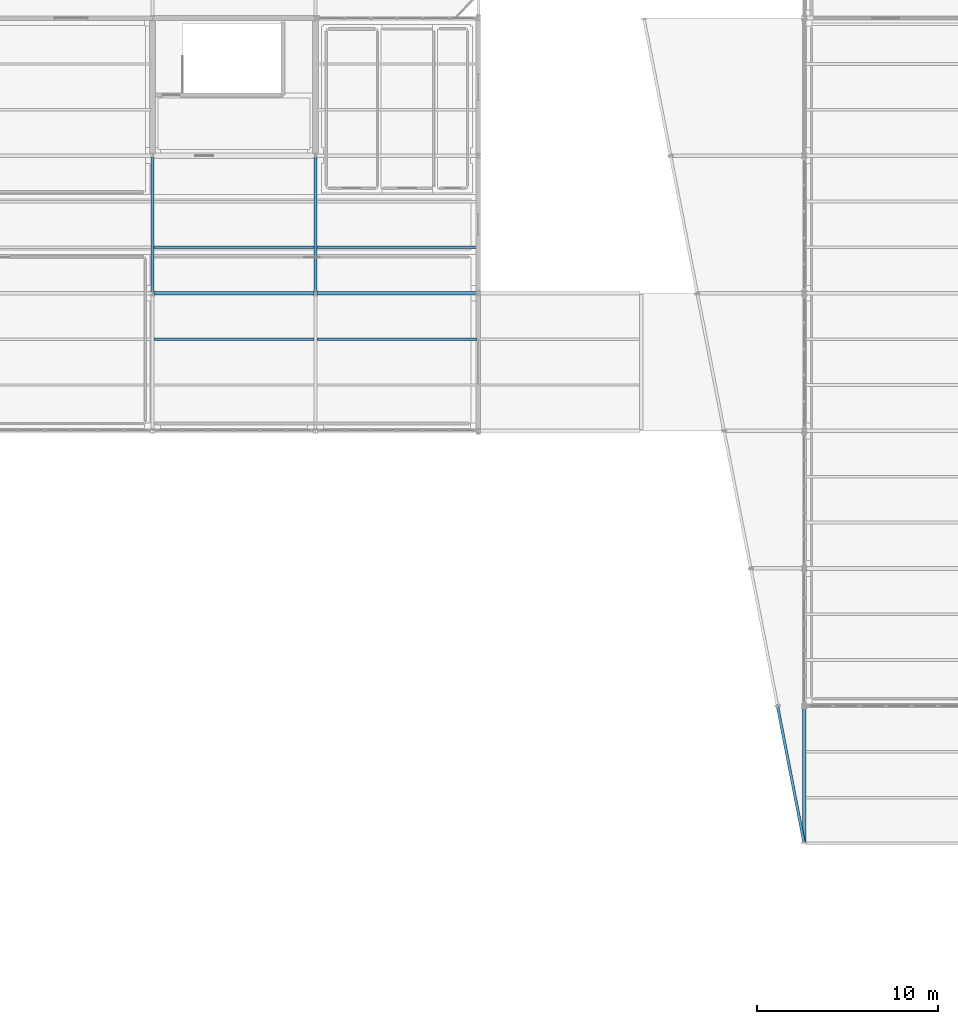
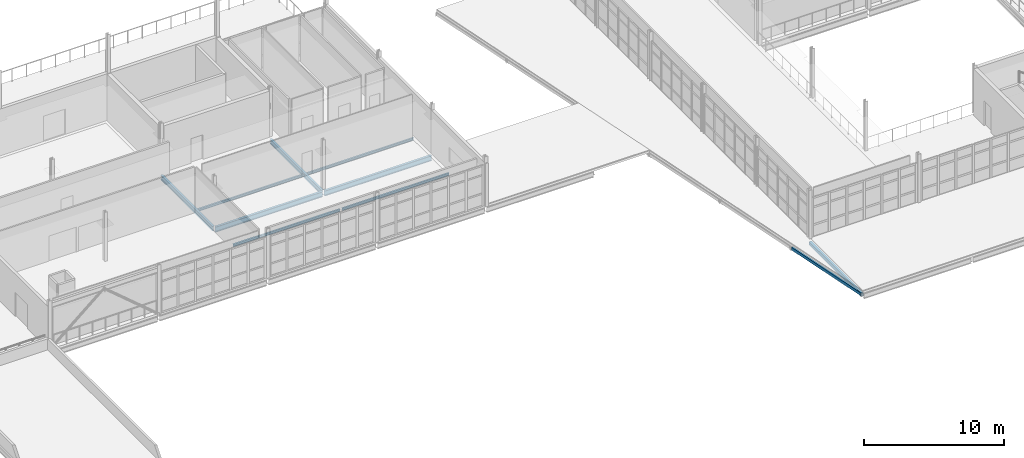
# One storey, part 37 of 96: 10 beams.
"""IFC4 building model written with IfcOpenShell, lengths in metres."""

from ifc_helpers import new_model, si_unit, direction, frame, origin, origin_2d, place, context, subcontext, project, spatial, hollow_rectangle, i_section, extrude, material, material_profile, profile_set, type_object, element, save


model = new_model("IFC4")

# Units and contexts
model_context = context("Model", 3, precision=1e-05, world=origin(), true_north=direction((0.0, 1.0)))
body_context = subcontext(model_context, "Body", "Model", "MODEL_VIEW")
ifc_project = project(units=[si_unit("LENGTHUNIT", "METRE"), si_unit("AREAUNIT", "SQUARE_METRE"), si_unit("VOLUMEUNIT", "CUBIC_METRE"), si_unit("PLANEANGLEUNIT", "RADIAN"), si_unit("MASSUNIT", "GRAM", prefix="KILO")], contexts=[model_context])

# Site, building, storey
site_placement = place(None, origin())
site = spatial("IfcSite", under=ifc_project, at=site_placement, CompositionType="ELEMENT")
building_placement = place(site_placement, origin())
building = spatial("IfcBuilding", under=site, at=building_placement, Name="Caisbarro Railhouse Central Library", CompositionType="ELEMENT")
storey_placement = place(building_placement, frame((0.0, 0.0, 13.679931640625)))
storey = spatial("IfcBuildingStorey", under=building, at=storey_placement, Name="L03", CompositionType="ELEMENT", Elevation=13.679931640625)

# Beams
ifc_material = material(Name="Steel ASTM A572 Grade 50", Category="steel")
ifc_material_profile_1 = material_profile(ifc_material, i_section(OverallWidth=0.18994140625, OverallDepth=0.45703125, WebThickness=0.009033203125, FlangeThickness=0.014404296875, FilletRadius=0.01806640625, at=origin_2d()), Name="W460X74.0")
ifc_profile_set_1 = profile_set([ifc_material_profile_1], Name="Steel ASTM A572 Grade 50")
beam_type_1 = type_object("IfcBeamType", Name="BM-G08", PredefinedType="BEAM", material=ifc_profile_set_1)
for number, where, z_axis, x_axis, name in (
    (1, (81.080078125, 91.199951171875, -0.428466796875), (1.0, 0.0, 0.0), (0.0, 1.0, 0.0), "G08 beam L03 #1972"),
    (2, (90.080078125, 91.199951171875, -0.428466796875), (1.0, 0.0, 0.0), (0.0, 1.0, 0.0), "G08 beam L03 #1973"),
):
    element("IfcBeam", number, at=place(storey_placement, frame(where, z_axis=z_axis, x_axis=x_axis)), inside=storey, type_object=beam_type_1, Name=name, PredefinedType="BEAM", context=body_context, shape_type="SweptSolid", body=[
        extrude(i_section(OverallWidth=0.18994140625, OverallDepth=0.45703125, WebThickness=0.009033203125, FlangeThickness=0.014404296875, FilletRadius=0.01806640625, at=origin_2d()), origin(), (0.0, 0.0, 1.0), 8.83984375),
    ])
ifc_material_profile_2 = material_profile(ifc_material, i_section(OverallWidth=0.177978515625, OverallDepth=0.406982421875, WebThickness=0.0078125, FlangeThickness=0.0126953125, FilletRadius=0.01611328125, at=origin_2d()), Name="W410X60.0")
ifc_profile_set_2 = profile_set([ifc_material_profile_2], Name="Steel ASTM A572 Grade 50")
beam_type_2 = type_object("IfcBeamType", Name="BM-G10", PredefinedType="BEAM", material=ifc_profile_set_2)
for number, where, z_axis, x_axis, name in (
    (3, (81.0, 91.280029296875, -0.4033203125), (0.0, 1.0, 0.0), (-1.0, 0.0, 0.0), "G10 beam L03 #1985"),
    (4, (90.0, 91.280029296875, -0.4033203125), (0.0, 1.0, 0.0), (-1.0, 0.0, 0.0), "G10 beam L03 #1988"),
):
    element("IfcBeam", number, at=place(storey_placement, frame(where, z_axis=z_axis, x_axis=x_axis)), inside=storey, type_object=beam_type_2, Name=name, PredefinedType="BEAM", context=body_context, shape_type="SweptSolid", body=[
        extrude(i_section(OverallWidth=0.177978515625, OverallDepth=0.406982421875, WebThickness=0.0078125, FlangeThickness=0.0126953125, FilletRadius=0.01611328125, at=origin_2d()), origin(), (0.0, 0.0, 1.0), 7.43994140625),
    ])
ifc_material_profile_3 = material_profile(ifc_material, i_section(OverallWidth=0.133056640625, OverallDepth=0.20703125, WebThickness=0.005859375, FlangeThickness=0.00830078125, FilletRadius=0.010009765625, at=origin_2d()), Name="W200X26.6")
ifc_profile_set_3 = profile_set([ifc_material_profile_3], Name="Steel ASTM A572 Grade 50")
beam_type_3 = type_object("IfcBeamType", Name="BM-J07", PredefinedType="JOIST", material=ifc_profile_set_3)
for number, where, z_axis, x_axis, name in (
    (5, (81.089111328125, 88.666748046875, -0.303466796875), (1.0, 0.0, 0.0), (0.0, 1.0, 0.0), "J07 beam L03 #2006"),
    (6, (81.089111328125, 93.7333984375, -0.303466796875), (1.0, 0.0, 0.0), (0.0, 1.0, 0.0), "J07 beam L03 #2007"),
    (7, (90.089111328125, 88.666748046875, -0.303466796875), (1.0, 0.0, 0.0), (0.0, 1.0, 0.0), "J07 beam L03 #2010"),
    (8, (90.089111328125, 93.7333984375, -0.303466796875), (1.0, 0.0, 0.0), (0.0, 1.0, 0.0), "J07 beam L03 #2011"),
):
    element("IfcBeam", number, at=place(storey_placement, frame(where, z_axis=z_axis, x_axis=x_axis)), inside=storey, type_object=beam_type_3, Name=name, PredefinedType="JOIST", context=body_context, shape_type="SweptSolid", body=[
        extrude(i_section(OverallWidth=0.133056640625, OverallDepth=0.20703125, WebThickness=0.005859375, FlangeThickness=0.00830078125, FilletRadius=0.010009765625, at=origin_2d()), origin(), (0.0, 0.0, 1.0), 8.82177734375),
    ])
ifc_material_profile_4 = material_profile(ifc_material, hollow_rectangle(XDim=0.199951171875, YDim=0.300048828125, WallThickness=0.012451171875, at=origin_2d()), Name="HSS300X200X12.5")
ifc_profile_set_4 = profile_set([ifc_material_profile_4], Name="Steel ASTM A572 Grade 50")
beam_type_4 = type_object("IfcBeamType", Name="BM-SP02", PredefinedType="SPANDREL", material=ifc_profile_set_4)
beam_1_placement = place(storey_placement, frame((117.0, 60.8798828125, -0.329833984375), z_axis=(0.0, 1.0, 0.0), x_axis=(-1.0, 0.0, 0.0)))
element("IfcBeam", 9, at=beam_1_placement, inside=storey, type_object=beam_type_4, Name="SP02 beam L03 #2411", PredefinedType="SPANDREL", context=body_context, shape_type="SweptSolid", body=[
    extrude(hollow_rectangle(XDim=0.199951171875, YDim=0.300048828125, WallThickness=0.012451171875, at=origin_2d()), origin(), (0.0, 0.0, 1.0), 7.440185546875),
])
ifc_material_profile_5 = material_profile(ifc_material, hollow_rectangle(XDim=0.14990234375, YDim=0.25, WallThickness=0.010009765625, at=origin_2d()), Name="HSS250X150X10")
ifc_profile_set_5 = profile_set([ifc_material_profile_5], Name="Steel ASTM A572 Grade 50")
beam_type_5 = type_object("IfcBeamType", Name="BM-SP03", PredefinedType="SPANDREL", material=ifc_profile_set_5)
beam_2_placement = place(storey_placement, frame((116.990478515625, 60.84912109375, -0.304931640625), z_axis=(-0.190786715317, 0.98163151399, 0.0), x_axis=(-0.98163151399, -0.190786715317, 0.0)))
element("IfcBeam", 10, at=beam_2_placement, inside=storey, type_object=beam_type_5, Name="SP03 beam L03 #2424", PredefinedType="SPANDREL", context=body_context, shape_type="SweptSolid", body=[
    extrude(hollow_rectangle(XDim=0.14990234375, YDim=0.25, WallThickness=0.010009765625, at=origin_2d()), origin(), (0.0, 0.0, 1.0), 7.64208984375),
])

save(model, "model.ifc")
